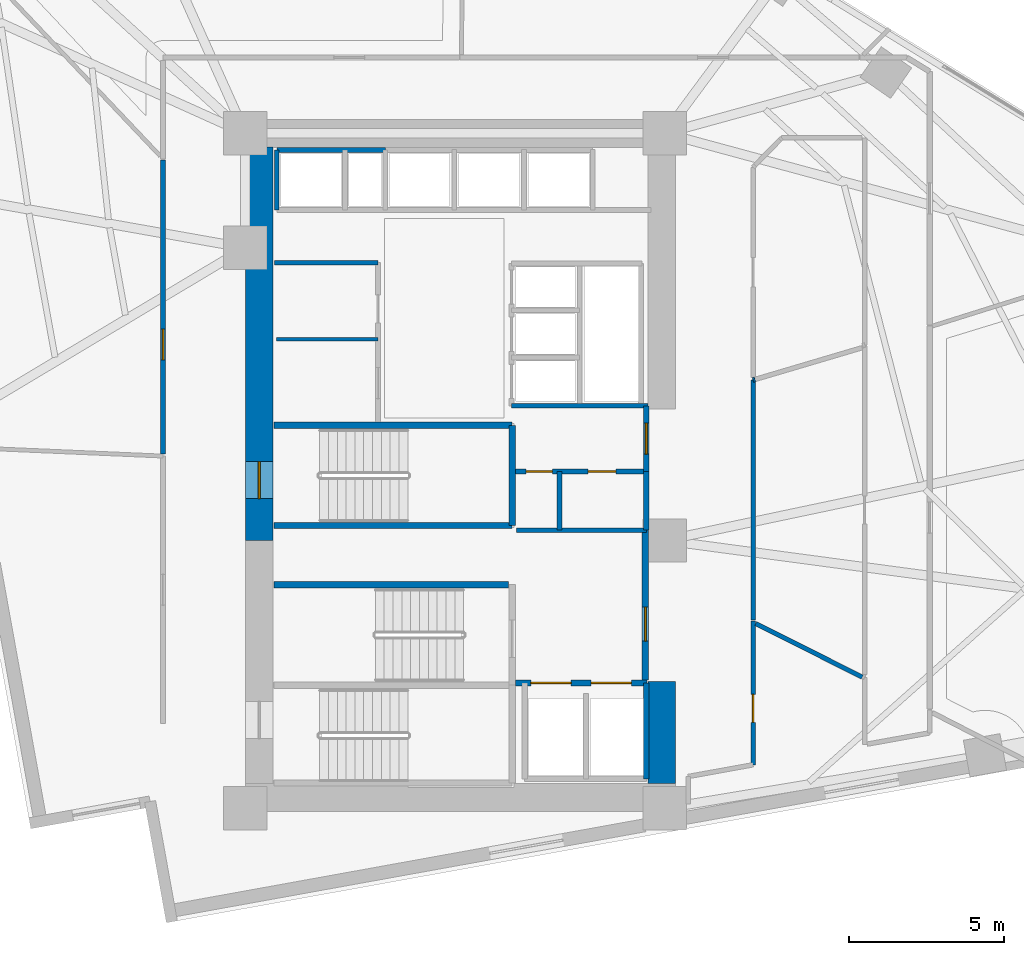
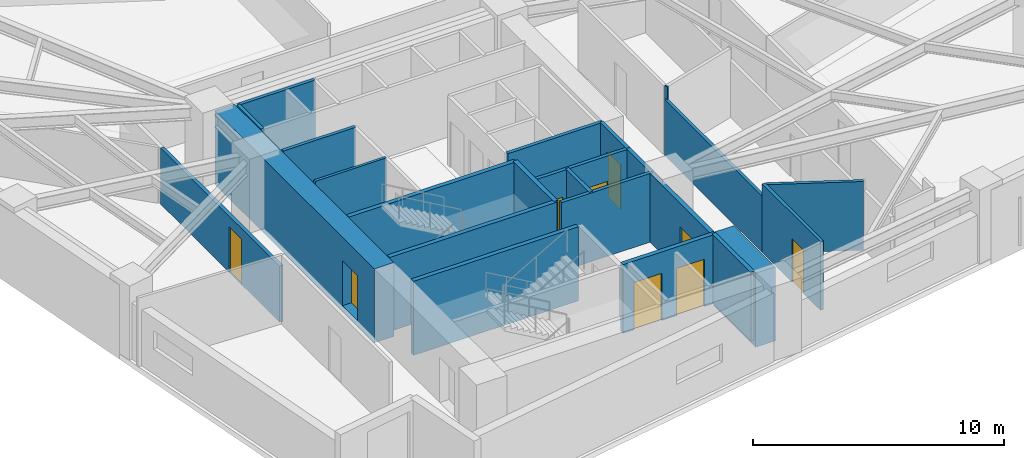
# One storey, part 13 of 19: 24 walls, 9 doors, 9 openings.
"""IFC4 building model written with IfcOpenShell, lengths in metres."""

from ifc_helpers import new_model, si_unit, direction, frame, frame_2d, origin, place, context, subcontext, project, spatial, rectangle, extrude, material, layer, layer_set, type_object, element, fill, save


model = new_model("IFC4")

# Units and contexts
model_context = context("Model", 3, precision=1e-05, world=origin(), true_north=direction((0.0, 1.0)))
body_context = subcontext(model_context, "Body", "Model", "MODEL_VIEW")
ifc_project = project(units=[si_unit("LENGTHUNIT", "METRE"), si_unit("AREAUNIT", "SQUARE_METRE"), si_unit("VOLUMEUNIT", "CUBIC_METRE"), si_unit("PLANEANGLEUNIT", "RADIAN"), si_unit("MASSUNIT", "GRAM", prefix="KILO")], contexts=[model_context])

# Site, building, storey
site_placement = place(None, origin())
site = spatial("IfcSite", under=ifc_project, at=site_placement, CompositionType="ELEMENT")
building_placement = place(site_placement, origin())
building = spatial("IfcBuilding", under=site, at=building_placement, Name="Narakoshi Arena Tower", CompositionType="ELEMENT")
storey_placement = place(building_placement, frame((0.0, 0.0, 117.300048828125)))
storey = spatial("IfcBuildingStorey", under=building, at=storey_placement, Name="L31", CompositionType="ELEMENT", Elevation=117.300048828125)

# Wall
ifc_material_1 = material(Name="Concrete C60/75", Category="concrete")
ifc_layer_1 = layer(ifc_material_1, 0.89990234375)
ifc_layer_set_1 = layer_set([ifc_layer_1], Name="Concrete C60/75")
wall_type_1 = type_object("IfcWallType", Name="WL-CORE-900", PredefinedType="SHEAR", material=ifc_layer_set_1)
wall_1_placement = place(storey_placement, frame((85.449951171875, 35.5, -0.260009765625), z_axis=(0.0, 0.0, 1.0), x_axis=(0.0, 1.0, 0.0)))
element("IfcWall", 1, at=wall_1_placement, inside=storey, type_object=wall_type_1, Name="L31 Central Core Shear Wall CW-APX-E", PredefinedType="SHEAR", context=body_context, shape_type="SweptSolid", body=[
    extrude(rectangle(XDim=3.300048828125, YDim=0.89990234375, at=frame_2d((1.64990234375, 0.0))), origin(), (0.0, 0.0, 1.0), 3.599853515625),
])

# Wall, opening, door
wall_2_placement = place(storey_placement, frame((72.449951171875, 43.35009765625, -0.260009765625), z_axis=(0.0, 0.0, 1.0), x_axis=(0.0, 1.0, 0.0)))
wall_2 = element("IfcWall", 2, at=wall_2_placement, inside=storey, type_object=wall_type_1, Name="L31 Main Core Shear Wall CW-MN-W", PredefinedType="SHEAR", context=body_context, shape_type="SweptSolid", body=[
    extrude(rectangle(XDim=12.699951171875, YDim=0.89990234375, at=frame_2d((6.35009765625, 0.0))), origin(), (0.0, 0.0, 1.0), 3.599853515625),
])
opening_1_placement = place(wall_2_placement, frame((1.35009765625, 0.0, 0.260009765625)))
opening_1 = element("IfcOpeningElement", 3, at=opening_1_placement, cuts=wall_2, Name="Opening D-03", PredefinedType="OPENING", context=body_context, shape_type="SweptSolid", body=[
    extrude(rectangle(XDim=1.199951171875, YDim=2.199951171875, at=frame_2d((0.60009765625, 1.10009765625))), frame((0.0, 0.4599609375, 0.0), z_axis=(0.0, -1.0, 0.0), x_axis=(1.0, 0.0, 0.0)), (0.0, 0.0, 1.0), 0.919921875),
])
ifc_material_2 = material(Name="Painted galvanized steel", Category="steel")
door_type_1 = type_object("IfcDoorType", Name="DR-STR-1200", OperationType="NOTDEFINED", PredefinedType="USERDEFINED", material=ifc_material_2)
door_1_placement = place(opening_1_placement, frame((1.199951171875, 0.0, 0.0), z_axis=(0.0, 0.0, 1.0), x_axis=(-1.0, 0.0, 0.0)))
door_1 = element("IfcDoor", 4, at=door_1_placement, inside=storey, type_object=door_type_1, Name="DR-L31-006", ObjectType="EXITDOOR", OperationType="SINGLE_SWING_LEFT", OverallHeight=2.199951171875, OverallWidth=1.199951171875, PredefinedType="USERDEFINED", context=body_context, shape_type="SweptSolid", body=[
    extrude(rectangle(XDim=1.199951171875, YDim=2.199951171875, at=frame_2d((0.60009765625, 1.10009765625))), frame((0.0, 0.02490234375, 0.0), z_axis=(0.0, -1.0, 0.0), x_axis=(1.0, 0.0, 0.0)), (0.0, 0.0, 1.0), 0.050048828125),
])
fill(opening_1, door_1)

ifc_material_3 = material(Name="Gypsum plasterboard fire-rated partition")
ifc_layer_2 = layer(ifc_material_3, 0.1650390625)
ifc_layer_set_2 = layer_set([ifc_layer_2], Name="Gypsum plasterboard fire-rated partition")
wall_type_2 = type_object("IfcWallType", Name="WL-CORR-165", PredefinedType="PARTITIONING", material=ifc_layer_set_2)
wall_3_placement = place(storey_placement, frame((84.949951171875, 45.580078125, 0.0), z_axis=(0.0, 0.0, 1.0), x_axis=(0.0, 1.0, 0.0)))
wall_3 = element("IfcWall", 5, at=wall_3_placement, inside=storey, type_object=wall_type_2, Name="L31 Core Wall CPAS-E", PredefinedType="PARTITIONING", context=body_context, shape_type="SweptSolid", body=[
    extrude(rectangle(XDim=2.119873046875, YDim=0.1650390625, at=frame_2d((1.06005859375, 0.0))), origin(), (0.0, 0.0, 1.0), 3.33984375),
])
opening_2_placement = place(wall_3_placement, frame((0.56005859375, 0.0, 0.0)))
opening_2 = element("IfcOpeningElement", 6, at=opening_2_placement, cuts=wall_3, Name="Opening D-06", PredefinedType="OPENING", context=body_context, shape_type="SweptSolid", body=[
    extrude(rectangle(XDim=1.0, YDim=2.199951171875, at=frame_2d((0.5, 1.10009765625))), frame((0.0, 0.092529296875, 0.0), z_axis=(0.0, -1.0, 0.0), x_axis=(1.0, 0.0, 0.0)), (0.0, 0.0, 1.0), 0.18505859375),
])
ifc_material_4 = material(Name="Stained oak solid-core timber", Category="wood")
door_type_2 = type_object("IfcDoorType", Name="DR-OFF-1000", OperationType="NOTDEFINED", PredefinedType="DOOR", material=ifc_material_4)
door_2_placement = place(opening_2_placement, frame((1.0, 0.0, 0.0), z_axis=(0.0, 0.0, 1.0), x_axis=(-1.0, 0.0, 0.0)))
door_2 = element("IfcDoor", 7, at=door_2_placement, inside=storey, type_object=door_type_2, Name="DR-L31-007", OperationType="SINGLE_SWING_LEFT", OverallHeight=2.199951171875, OverallWidth=1.0, PredefinedType="DOOR", context=body_context, shape_type="SweptSolid", body=[
    extrude(rectangle(XDim=1.0, YDim=2.199951171875, at=frame_2d((0.5, 1.10009765625))), frame((0.0, 0.02490234375, 0.0), z_axis=(0.0, -1.0, 0.0), x_axis=(1.0, 0.0, 0.0)), (0.0, 0.0, 1.0), 0.050048828125),
])
fill(opening_2, door_2)

wall_4_placement = place(storey_placement, frame((69.344970703125, 55.63330078125, 0.0), z_axis=(0.0, 0.0, 1.0), x_axis=(0.0, -1.0, 0.0)))
wall_4 = element("IfcWall", 8, at=wall_4_placement, inside=storey, type_object=wall_type_2, Name="L31 Corridor Partition 09-1", PredefinedType="PARTITIONING", context=body_context, shape_type="SweptSolid", body=[
    extrude(rectangle(XDim=9.4833984375, YDim=0.1650390625, at=frame_2d((4.74169921875, 0.0))), origin(), (0.0, 0.0, 1.0), 2.724853515625),
])
opening_3_placement = place(wall_4_placement, frame((5.454345703125, 0.0, 0.0)))
opening_3 = element("IfcOpeningElement", 9, at=opening_3_placement, cuts=wall_4, Name="Opening D-06", PredefinedType="OPENING", context=body_context, shape_type="SweptSolid", body=[
    extrude(rectangle(XDim=1.0, YDim=2.199951171875, at=frame_2d((0.5, 1.10009765625))), frame((0.0, 0.092529296875, 0.0), z_axis=(0.0, -1.0, 0.0), x_axis=(1.0, 0.0, 0.0)), (0.0, 0.0, 1.0), 0.18505859375),
])
door_3_placement = place(opening_3_placement, frame((1.0, 0.0, 0.0), z_axis=(0.0, 0.0, 1.0), x_axis=(-1.0, 0.0, 0.0)))
door_3 = element("IfcDoor", 10, at=door_3_placement, inside=storey, type_object=door_type_2, Name="DR-L31-023", OperationType="SINGLE_SWING_LEFT", OverallHeight=2.199951171875, OverallWidth=1.0, PredefinedType="DOOR", context=body_context, shape_type="SweptSolid", body=[
    extrude(rectangle(XDim=1.0, YDim=2.199951171875, at=frame_2d((0.5, 1.10009765625))), frame((0.0, 0.02490234375, 0.0), z_axis=(0.0, -1.0, 0.0), x_axis=(1.0, 0.0, 0.0)), (0.0, 0.0, 1.0), 0.050048828125),
])
fill(opening_3, door_3)

# Walls
ifc_layer_3 = layer(ifc_material_3, 0.125)
ifc_layer_set_3 = layer_set([ifc_layer_3], Name="Gypsum plasterboard fire-rated partition")
wall_type_3 = type_object("IfcWallType", Name="WL-PART-125", PredefinedType="PARTITIONING", material=ifc_layer_set_3)
wall_5_placement = place(storey_placement, frame((73.0, 49.85009765625, 0.0), z_axis=(0.0, 0.0, 1.0), x_axis=(1.0, 0.0, 0.0)))
element("IfcWall", 11, at=wall_5_placement, inside=storey, type_object=wall_type_3, Name="L31 Core Wall RCL-LR-D0", PredefinedType="PARTITIONING", context=body_context, shape_type="SweptSolid", body=[
    extrude(rectangle(XDim=3.280029296875, YDim=0.125, at=frame_2d((1.64013671875, 0.0))), origin(), (0.0, 0.0, 1.0), 3.33984375),
])
ifc_material_5 = material(Name="Concrete C40/50", Category="concrete")
ifc_layer_4 = layer(ifc_material_5, 0.280029296875)
ifc_layer_set_4 = layer_set([ifc_layer_4], Name="Concrete C40/50")
wall_type_4 = type_object("IfcWallType", Name="WL-RISER-280", PredefinedType="PLUMBINGWALL", material=ifc_layer_set_4)
wall_6_placement = place(storey_placement, frame((84.949951171875, 43.679931640625, 0.0), z_axis=(0.0, 0.0, 1.0), x_axis=(0.0, 1.0, 0.0)))
element("IfcWall", 12, at=wall_6_placement, inside=storey, type_object=wall_type_4, Name="L31 Core Wall RSR-E", PredefinedType="PLUMBINGWALL", context=body_context, shape_type="SweptSolid", body=[
    extrude(rectangle(XDim=1.900146484375, YDim=0.1650390625, at=frame_2d((0.9501953125, 0.0))), origin(), (0.0, 0.0, 1.0), 3.33984375),
])

# Wall, openings, doors
wall_7_placement = place(storey_placement, frame((80.719970703125, 45.580078125, 0.0), z_axis=(0.0, 0.0, 1.0), x_axis=(1.0, 0.0, 0.0)))
wall_7 = element("IfcWall", 13, at=wall_7_placement, inside=storey, type_object=wall_type_4, Name="L31 Core Wall RSR-N", PredefinedType="PLUMBINGWALL", context=body_context, shape_type="SweptSolid", body=[
    extrude(rectangle(XDim=4.22998046875, YDim=0.159912109375, at=frame_2d((2.114990234375, 0.0))), origin(), (0.0, 0.0, 1.0), 3.33984375),
])
opening_4_placement = place(wall_7_placement, frame((0.35009765625, 0.0, 0.0)))
opening_4 = element("IfcOpeningElement", 14, at=opening_4_placement, cuts=wall_7, Name="Opening D-10", PredefinedType="OPENING", context=body_context, shape_type="SweptSolid", body=[
    extrude(rectangle(XDim=0.85009765625, YDim=2.050048828125, at=frame_2d((0.425048828125, 1.02490234375))), frame((0.0, 0.08984375, 0.0), z_axis=(0.0, -1.0, 0.0), x_axis=(1.0, 0.0, 0.0)), (0.0, 0.0, 1.0), 0.179931640625),
])
opening_5_placement = place(wall_7_placement, frame((2.35009765625, 0.0, 0.0)))
opening_5 = element("IfcOpeningElement", 15, at=opening_5_placement, cuts=wall_7, Name="Opening D-08", PredefinedType="OPENING", context=body_context, shape_type="SweptSolid", body=[
    extrude(rectangle(XDim=0.89990234375, YDim=2.10009765625, at=frame_2d((0.449951171875, 1.050048828125))), frame((0.0, 0.08984375, 0.0), z_axis=(0.0, -1.0, 0.0), x_axis=(1.0, 0.0, 0.0)), (0.0, 0.0, 1.0), 0.179931640625),
])
door_type_3 = type_object("IfcDoorType", Name="DR-RSR-850", OperationType="NOTDEFINED", PredefinedType="DOOR", material=ifc_material_2)
door_4_placement = place(opening_4_placement, frame((0.85009765625, 0.0, 0.0), z_axis=(0.0, 0.0, 1.0), x_axis=(-1.0, 0.0, 0.0)))
door_4 = element("IfcDoor", 16, at=door_4_placement, inside=storey, type_object=door_type_3, Name="DR-L31-008", OperationType="SINGLE_SWING_LEFT", OverallHeight=2.050048828125, OverallWidth=0.85009765625, PredefinedType="DOOR", context=body_context, shape_type="SweptSolid", body=[
    extrude(rectangle(XDim=0.85009765625, YDim=2.050048828125, at=frame_2d((0.425048828125, 1.02490234375))), frame((0.0, 0.02490234375, 0.0), z_axis=(0.0, -1.0, 0.0), x_axis=(1.0, 0.0, 0.0)), (0.0, 0.0, 1.0), 0.050048828125),
])
fill(opening_4, door_4)
ifc_material_6 = material(Name="Moisture-resistant laminate timber", Category="wood")
door_type_4 = type_object("IfcDoorType", Name="DR-WC-900", OperationType="NOTDEFINED", PredefinedType="DOOR", material=ifc_material_6)
door_5_placement = place(opening_5_placement, frame((0.89990234375, 0.0, 0.0), z_axis=(0.0, 0.0, 1.0), x_axis=(-1.0, 0.0, 0.0)))
door_5 = element("IfcDoor", 17, at=door_5_placement, inside=storey, type_object=door_type_4, Name="DR-L31-009", OperationType="SINGLE_SWING_RIGHT", OverallHeight=2.10009765625, OverallWidth=0.89990234375, PredefinedType="DOOR", context=body_context, shape_type="SweptSolid", body=[
    extrude(rectangle(XDim=0.89990234375, YDim=2.10009765625, at=frame_2d((0.449951171875, 1.050048828125))), frame((0.0, 0.02490234375, 0.0), z_axis=(0.0, -1.0, 0.0), x_axis=(1.0, 0.0, 0.0)), (0.0, 0.0, 1.0), 0.050048828125),
])
fill(opening_5, door_5)

# Walls
wall_8_placement = place(storey_placement, frame((80.760009765625, 43.679931640625, 0.0), z_axis=(0.0, 0.0, 1.0), x_axis=(1.0, 0.0, 0.0)))
element("IfcWall", 18, at=wall_8_placement, inside=storey, type_object=wall_type_4, Name="L31 Core Wall RSR-S", PredefinedType="PLUMBINGWALL", context=body_context, shape_type="SweptSolid", body=[
    extrude(rectangle(XDim=4.18994140625, YDim=0.159912109375, at=frame_2d((2.094970703125, 0.0))), origin(), (0.0, 0.0, 1.0), 3.33984375),
])
wall_9_placement = place(storey_placement, frame((82.14990234375, 43.679931640625, 0.0), z_axis=(0.0, 0.0, 1.0), x_axis=(0.0, 1.0, 0.0)))
element("IfcWall", 19, at=wall_9_placement, inside=storey, type_object=wall_type_4, Name="L31 Core Wall RSR-M", PredefinedType="PLUMBINGWALL", context=body_context, shape_type="SweptSolid", body=[
    extrude(rectangle(XDim=1.900146484375, YDim=0.159912109375, at=frame_2d((0.9501953125, 0.0))), origin(), (0.0, 0.0, 1.0), 3.33984375),
])
wall_10_placement = place(storey_placement, frame((73.02001953125, 54.02001953125, 0.0), z_axis=(0.0, 0.0, 1.0), x_axis=(0.0, 1.0, 0.0)))
element("IfcWall", 20, at=wall_10_placement, inside=storey, type_object=wall_type_4, Name="L31 Core Wall OBS-W", PredefinedType="PLUMBINGWALL", context=body_context, shape_type="SweptSolid", body=[
    extrude(rectangle(XDim=1.93994140625, YDim=0.14990234375, at=frame_2d((0.969970703125, 0.0))), origin(), (0.0, 0.0, 1.0), 3.33984375),
])

# Wall, openings, doors
ifc_material_7 = material(Name="Concrete C50/60", Category="concrete")
ifc_layer_5 = layer(ifc_material_7, 0.35009765625)
ifc_layer_set_5 = layer_set([ifc_layer_5], Name="Concrete C50/60")
wall_type_5 = type_object("IfcWallType", Name="WL-SHAFT-350", PredefinedType="SOLIDWALL", material=ifc_layer_set_5)
wall_11_placement = place(storey_placement, frame((80.719970703125, 38.75, 0.0), z_axis=(0.0, 0.0, 1.0), x_axis=(1.0, 0.0, 0.0)))
wall_11 = element("IfcWall", 21, at=wall_11_placement, inside=storey, type_object=wall_type_5, Name="L31 Core Wall FF-N", PredefinedType="SOLIDWALL", context=body_context, shape_type="SweptSolid", body=[
    extrude(rectangle(XDim=4.260009765625, YDim=0.199951171875, at=frame_2d((2.1298828125, 0.0))), origin(), (0.0, 0.0, 1.0), 3.33984375),
])
opening_6_placement = place(wall_11_placement, frame((0.5, 0.0, 0.0)))
opening_6 = element("IfcOpeningElement", 22, at=opening_6_placement, cuts=wall_11, Name="Opening LD-02", PredefinedType="OPENING", context=body_context, shape_type="SweptSolid", body=[
    extrude(rectangle(XDim=1.300048828125, YDim=2.300048828125, at=frame_2d((0.64990234375, 1.14990234375))), frame((0.0, 0.10986328125, 0.0), z_axis=(0.0, -1.0, 0.0), x_axis=(1.0, 0.0, 0.0)), (0.0, 0.0, 1.0), 0.219970703125),
])
opening_7_placement = place(wall_11_placement, frame((2.449951171875, 0.0, 0.0)))
opening_7 = element("IfcOpeningElement", 23, at=opening_7_placement, cuts=wall_11, Name="Opening LD-02", PredefinedType="OPENING", context=body_context, shape_type="SweptSolid", body=[
    extrude(rectangle(XDim=1.300048828125, YDim=2.300048828125, at=frame_2d((0.64990234375, 1.14990234375))), frame((0.0, 0.10986328125, 0.0), z_axis=(0.0, -1.0, 0.0), x_axis=(1.0, 0.0, 0.0)), (0.0, 0.0, 1.0), 0.219970703125),
])
ifc_material_8 = material(Name="Brushed bronze stainless steel", Category="steel")
door_type_5 = type_object("IfcDoorType", Name="DR-LFT-1300", OperationType="DOUBLE_DOOR_SLIDING", PredefinedType="DOOR", material=ifc_material_8)
door_6_placement = place(opening_6_placement, origin())
door_6 = element("IfcDoor", 24, at=door_6_placement, inside=storey, type_object=door_type_5, Name="DR-L31-003", OperationType="DOUBLE_DOOR_SLIDING", OverallHeight=2.300048828125, OverallWidth=1.300048828125, PredefinedType="DOOR", context=body_context, shape_type="SweptSolid", body=[
    extrude(rectangle(XDim=1.300048828125, YDim=2.300048828125, at=frame_2d((0.64990234375, 1.14990234375))), frame((0.0, 0.02490234375, 0.0), z_axis=(0.0, -1.0, 0.0), x_axis=(1.0, 0.0, 0.0)), (0.0, 0.0, 1.0), 0.050048828125),
])
fill(opening_6, door_6)
door_7_placement = place(opening_7_placement, origin())
door_7 = element("IfcDoor", 25, at=door_7_placement, inside=storey, type_object=door_type_5, Name="DR-L31-004", OperationType="DOUBLE_DOOR_SLIDING", OverallHeight=2.300048828125, OverallWidth=1.300048828125, PredefinedType="DOOR", context=body_context, shape_type="SweptSolid", body=[
    extrude(rectangle(XDim=1.300048828125, YDim=2.300048828125, at=frame_2d((0.64990234375, 1.14990234375))), frame((0.0, 0.02490234375, 0.0), z_axis=(0.0, -1.0, 0.0), x_axis=(1.0, 0.0, 0.0)), (0.0, 0.0, 1.0), 0.050048828125),
])
fill(opening_7, door_7)

# Wall
wall_12_placement = place(storey_placement, frame((84.949951171875, 35.64990234375, 0.0), z_axis=(0.0, 0.0, 1.0), x_axis=(0.0, 1.0, 0.0)))
element("IfcWall", 26, at=wall_12_placement, inside=storey, type_object=wall_type_5, Name="L31 Core Wall FF-E", PredefinedType="SOLIDWALL", context=body_context, shape_type="SweptSolid", body=[
    extrude(rectangle(XDim=3.10009765625, YDim=0.179931640625, at=frame_2d((1.550048828125, 0.0))), origin(), (0.0, 0.0, 1.0), 3.33984375),
])

# Wall, opening, door
wall_13_placement = place(storey_placement, frame((84.919921875, 38.85009765625, 0.0), z_axis=(0.0, 0.0, 1.0), x_axis=(0.0, 1.0, 0.0)))
wall_13 = element("IfcWall", 27, at=wall_13_placement, inside=storey, type_object=wall_type_5, Name="L31 Core Wall FFLOB-E", PredefinedType="SOLIDWALL", context=body_context, shape_type="SweptSolid", body=[
    extrude(rectangle(XDim=4.829833984375, YDim=0.199951171875, at=frame_2d((2.4150390625, 0.0))), origin(), (0.0, 0.0, 1.0), 3.33984375),
])
opening_8_placement = place(wall_13_placement, frame((1.25, 0.0, 0.0)))
opening_8 = element("IfcOpeningElement", 28, at=opening_8_placement, cuts=wall_13, Name="Opening D-04", PredefinedType="OPENING", context=body_context, shape_type="SweptSolid", body=[
    extrude(rectangle(XDim=1.10009765625, YDim=2.199951171875, at=frame_2d((0.550048828125, 1.10009765625))), frame((0.0, 0.10986328125, 0.0), z_axis=(0.0, -1.0, 0.0), x_axis=(1.0, 0.0, 0.0)), (0.0, 0.0, 1.0), 0.219970703125),
])
door_type_6 = type_object("IfcDoorType", Name="DR-FFL-1100", OperationType="NOTDEFINED", PredefinedType="DOOR", material=ifc_material_2)
door_8_placement = place(opening_8_placement, frame((1.10009765625, 0.0, 0.0), z_axis=(0.0, 0.0, 1.0), x_axis=(-1.0, 0.0, 0.0)))
door_8 = element("IfcDoor", 29, at=door_8_placement, inside=storey, type_object=door_type_6, Name="DR-L31-005", OperationType="SINGLE_SWING_RIGHT", OverallHeight=2.199951171875, OverallWidth=1.10009765625, PredefinedType="DOOR", context=body_context, shape_type="SweptSolid", body=[
    extrude(rectangle(XDim=1.10009765625, YDim=2.199951171875, at=frame_2d((0.550048828125, 1.10009765625))), frame((0.0, 0.02490234375, 0.0), z_axis=(0.0, -1.0, 0.0), x_axis=(1.0, 0.0, 0.0)), (0.0, 0.0, 1.0), 0.050048828125),
])
fill(opening_8, door_8)

# Walls
wall_14_placement = place(storey_placement, frame((72.919921875, 41.919921875, -0.260009765625), z_axis=(0.0, 0.0, 1.0), x_axis=(1.0, 0.0, 0.0)))
element("IfcWall", 30, at=wall_14_placement, inside=storey, type_object=wall_type_5, Name="L31 Core Wall ST2-N", PredefinedType="SOLIDWALL", context=body_context, shape_type="SweptSolid", body=[
    extrude(rectangle(XDim=7.580078125, YDim=0.199951171875, at=frame_2d((3.7900390625, 0.0))), origin(), (0.0, 0.0, 1.0), 3.599853515625),
])
for number, where, z_axis, x_axis, name in (
    (31, (72.919921875, 43.830078125, -0.260009765625), (0.0, 0.0, 1.0), (1.0, 0.0, 0.0), "L31 Core Wall ST3-S"),
    (32, (72.919921875, 47.070068359375, -0.260009765625), (0.0, 0.0, 1.0), (1.0, 0.0, 0.0), "L31 Core Wall ST3-N"),
):
    element("IfcWall", number, at=place(storey_placement, frame(where, z_axis=z_axis, x_axis=x_axis)), inside=storey, type_object=wall_type_5, Name=name, PredefinedType="SOLIDWALL", context=body_context, shape_type="SweptSolid", body=[
        extrude(rectangle(XDim=7.7001953125, YDim=0.199951171875, at=frame_2d((3.85009765625, 0.0))), origin(), (0.0, 0.0, 1.0), 3.599853515625),
    ])
wall_15_placement = place(storey_placement, frame((80.6201171875, 43.830078125, -0.260009765625), z_axis=(0.0, 0.0, 1.0), x_axis=(0.0, 1.0, 0.0)))
element("IfcWall", 33, at=wall_15_placement, inside=storey, type_object=wall_type_5, Name="L31 Core Wall ST3-E", PredefinedType="SOLIDWALL", context=body_context, shape_type="SweptSolid", body=[
    extrude(rectangle(XDim=3.239990234375, YDim=0.199951171875, at=frame_2d((1.6201171875, 0.0))), origin(), (0.0, 0.0, 1.0), 3.599853515625),
])
wall_16_placement = place(storey_placement, frame((72.949951171875, 52.320068359375, 0.0), z_axis=(0.0, 0.0, 1.0), x_axis=(1.0, 0.0, 0.0)))
element("IfcWall", 34, at=wall_16_placement, inside=storey, type_object=wall_type_5, Name="L31 Core Wall LR-N", PredefinedType="SOLIDWALL", context=body_context, shape_type="SweptSolid", body=[
    extrude(rectangle(XDim=3.330078125, YDim=0.14990234375, at=frame_2d((1.6650390625, 0.0))), origin(), (0.0, 0.0, 1.0), 3.33984375),
])
wall_17_placement = place(storey_placement, frame((80.60009765625, 47.699951171875, 0.0), z_axis=(0.0, 0.0, 1.0), x_axis=(1.0, 0.0, 0.0)))
element("IfcWall", 35, at=wall_17_placement, inside=storey, type_object=wall_type_5, Name="L31 Core Wall MR-S", PredefinedType="SOLIDWALL", context=body_context, shape_type="SweptSolid", body=[
    extrude(rectangle(XDim=4.39990234375, YDim=0.159912109375, at=frame_2d((2.199951171875, 0.0))), origin(), (0.0, 0.0, 1.0), 3.33984375),
])
wall_18_placement = place(storey_placement, frame((73.02001953125, 55.9599609375, 0.0), z_axis=(0.0, 0.0, 1.0), x_axis=(1.0, 0.0, 0.0)))
element("IfcWall", 36, at=wall_18_placement, inside=storey, type_object=wall_type_5, Name="L31 Core Wall OBS-N", PredefinedType="SOLIDWALL", context=body_context, shape_type="SweptSolid", body=[
    extrude(rectangle(XDim=3.5, YDim=0.14990234375, at=frame_2d((1.75, 0.0))), origin(), (0.0, 0.0, 1.0), 3.33984375),
])

# Wall, opening, door
ifc_material_9 = material(Name="Moisture-resistant cement-board partition")
ifc_layer_6 = layer(ifc_material_9, 0.14501953125)
ifc_layer_set_6 = layer_set([ifc_layer_6], Name="Moisture-resistant cement-board partition")
wall_type_6 = type_object("IfcWallType", Name="WL-WET-145", PredefinedType="PARTITIONING", material=ifc_layer_set_6)
wall_19_placement = place(storey_placement, frame((88.39990234375, 36.10400390625, 0.0), z_axis=(0.0, 0.0, 1.0), x_axis=(0.0, 1.0, 0.0)))
wall_19 = element("IfcWall", 37, at=wall_19_placement, inside=storey, type_object=wall_type_6, Name="L31 Corridor Partition 02-1", PredefinedType="PARTITIONING", context=body_context, shape_type="SweptSolid", body=[
    extrude(rectangle(XDim=4.643798828125, YDim=0.14501953125, at=frame_2d((2.32177734375, 0.0))), origin(), (0.0, 0.0, 1.0), 3.33984375),
])
opening_9_placement = place(wall_19_placement, frame((1.370361328125, 0.0, 0.0)))
opening_9 = element("IfcOpeningElement", 38, at=opening_9_placement, cuts=wall_19, Name="Opening D-08", PredefinedType="OPENING", context=body_context, shape_type="SweptSolid", body=[
    extrude(rectangle(XDim=0.89990234375, YDim=2.10009765625, at=frame_2d((0.449951171875, 1.050048828125))), frame((0.0, 0.08251953125, 0.0), z_axis=(0.0, -1.0, 0.0), x_axis=(1.0, 0.0, 0.0)), (0.0, 0.0, 1.0), 0.1650390625),
])
door_9_placement = place(opening_9_placement, frame((0.89990234375, 0.0, 0.0), z_axis=(0.0, 0.0, 1.0), x_axis=(-1.0, 0.0, 0.0)))
door_9 = element("IfcDoor", 39, at=door_9_placement, inside=storey, type_object=door_type_4, Name="DR-L31-016", OperationType="SINGLE_SWING_LEFT", OverallHeight=2.10009765625, OverallWidth=0.89990234375, PredefinedType="DOOR", context=body_context, shape_type="SweptSolid", body=[
    extrude(rectangle(XDim=0.89990234375, YDim=2.10009765625, at=frame_2d((0.449951171875, 1.050048828125))), frame((0.0, 0.02490234375, 0.0), z_axis=(0.0, -1.0, 0.0), x_axis=(1.0, 0.0, 0.0)), (0.0, 0.0, 1.0), 0.050048828125),
])
fill(opening_9, door_9)

# Walls
wall_20_placement = place(storey_placement, frame((88.484619140625, 40.6650390625, 0.0), z_axis=(0.0, 0.0, 1.0), x_axis=(0.893679048443, -0.448706762123, 0.0)))
element("IfcWall", 40, at=wall_20_placement, inside=storey, type_object=wall_type_6, Name="L31 Inter-Room Partition 02-03", PredefinedType="PARTITIONING", context=body_context, shape_type="SweptSolid", body=[
    extrude(rectangle(XDim=3.857177734375, YDim=0.14501953125, at=frame_2d((1.9287109375, 0.0))), origin(), (0.0, 0.0, 1.0), 3.33984375),
])
wall_21_placement = place(storey_placement, frame((88.39990234375, 40.774658203125, 0.0), z_axis=(0.0, 0.0, 1.0), x_axis=(0.0, 1.0, 0.0)))
element("IfcWall", 41, at=wall_21_placement, inside=storey, type_object=wall_type_6, Name="L31 Corridor Partition 03-2", PredefinedType="PARTITIONING", context=body_context, shape_type="SweptSolid", body=[
    extrude(rectangle(XDim=7.7568359375, YDim=0.14501953125, at=frame_2d((3.87841796875, 0.0))), origin(), (0.0, 0.0, 1.0), 2.724853515625),
])
wall_22_placement = place(storey_placement, frame((88.39990234375, 48.531494140625, 0.0), z_axis=(0.0, 0.0, 1.0), x_axis=(0.955442479306, 0.29517735133, 0.0)))
element("IfcWall", 42, at=wall_22_placement, inside=storey, type_object=wall_type_6, Name="L31 Corridor Partition 03-3", PredefinedType="PARTITIONING", context=body_context, shape_type="SweptSolid", body=[
    extrude(rectangle(XDim=0.062744140625, YDim=0.14501953125, at=frame_2d((0.03125, 0.0))), origin(), (0.0, 0.0, 1.0), 3.33984375),
])

save(model, "model.ifc")
